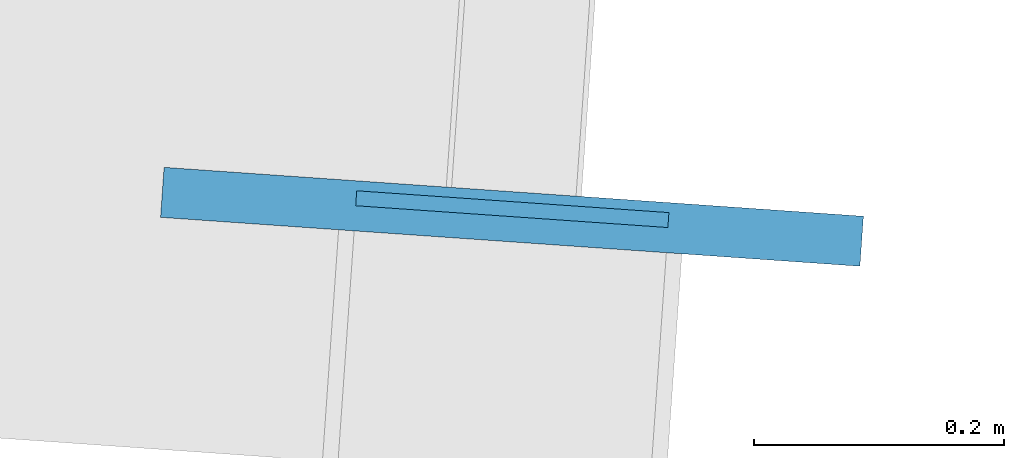
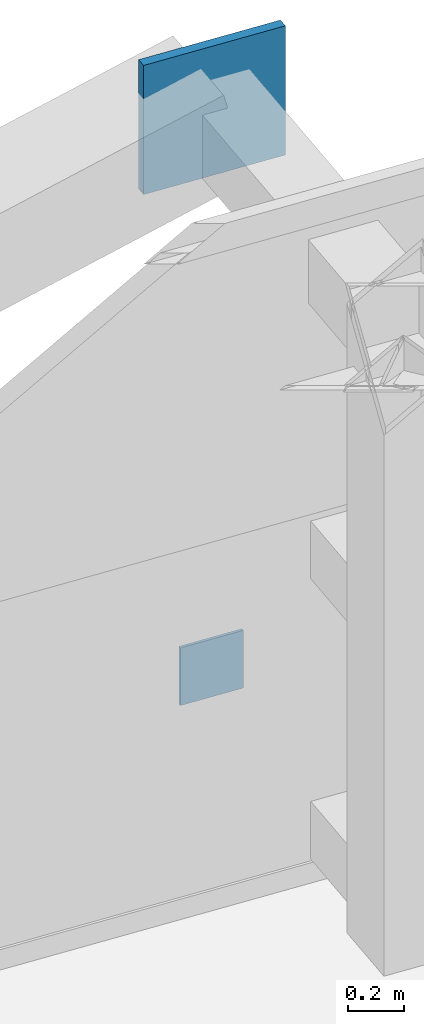
# One storey, part 34 of 39: 2 plates.
"""IFC4 building model written with IfcOpenShell, lengths in metres."""

from ifc_helpers import new_model, si_unit, direction, frame, origin, origin_2d, place, context, subcontext, project, spatial, rectangle, extrude, source, transform, mapped, material, layer, layer_set, type_object, element, save


model = new_model("IFC4")

# Units and contexts
model_context = context("Model", 3, precision=1e-05, world=origin(), true_north=direction((0.0, 1.0)))
body_context = subcontext(model_context, "Body", "Model", "MODEL_VIEW")
ifc_project = project(units=[si_unit("LENGTHUNIT", "METRE"), si_unit("AREAUNIT", "SQUARE_METRE"), si_unit("VOLUMEUNIT", "CUBIC_METRE"), si_unit("PLANEANGLEUNIT", "RADIAN"), si_unit("MASSUNIT", "GRAM", prefix="KILO")], contexts=[model_context])

# Site, building, storey
site_placement = place(None, origin())
site = spatial("IfcSite", under=ifc_project, at=site_placement, CompositionType="ELEMENT")
building_placement = place(site_placement, origin())
building = spatial("IfcBuilding", under=site, at=building_placement, Name="Taldren Reach Tower", CompositionType="ELEMENT")
storey_placement = place(building_placement, frame((0.0, 0.0, 133.0)))
storey = spatial("IfcBuildingStorey", under=building, at=storey_placement, Name="L40", CompositionType="ELEMENT", Elevation=133.0)

# Plates
ifc_material_1 = material(Name="Steel Gr 450 (C450L0)", Category="steel")
ifc_layer_1 = layer(ifc_material_1, 0.0400390625)
ifc_layer_set_1 = layer_set([ifc_layer_1], Name="Steel Gr 450 (C450L0)")
plate_type_1 = type_object("IfcPlateType", Name="PL-GUSSET-40", PredefinedType="SHEET", material=ifc_layer_set_1)
shared_shape_1 = source(origin(), body_context, "Body", "SweptSolid", [
    extrude(rectangle(XDim=0.56005859375, YDim=0.0400390625, at=origin_2d()), origin(), (0.0, 0.0, 1.0), 0.56005859375),
])
plate_1_placement = place(storey_placement, frame((58.544677734375, 36.40771484375, 2.369873046875), z_axis=(0.0, 0.0, 1.0), x_axis=(0.99756405026, -0.069756473744, 0.0)))
element("IfcPlate", 1, at=plate_1_placement, inside=storey, type_object=plate_type_1, Name="Exoskeleton star-node gusset plate B3-N6 L40", PredefinedType="SHEET", context=body_context, shape_type="MappedRepresentation", body=[
    mapped(shared_shape_1, transform((0.0, 0.0, 0.0), scale=1.0)),
])
ifc_material_2 = material(Name="Steel Gr 350 (C350L0)", Category="steel")
ifc_layer_2 = layer(ifc_material_2, 0.011962890625)
ifc_layer_set_2 = layer_set([ifc_layer_2], Name="Steel Gr 350 (C350L0)")
plate_type_2 = type_object("IfcPlateType", Name="PL-CAP-250", PredefinedType="SHEET", material=ifc_layer_set_2)
shared_shape_2 = source(origin(), body_context, "Body", "SweptSolid", [
    extrude(rectangle(XDim=0.25, YDim=0.011962890625, at=origin_2d()), origin(), (0.0, 0.0, 1.0), 0.25),
])
plate_2_placement = place(storey_placement, frame((58.544921875, 36.413818359375, 0.094970703125), z_axis=(0.0, 0.0, 1.0), x_axis=(0.99756405026, -0.069756473744, 0.0)))
element("IfcPlate", 2, at=plate_2_placement, inside=storey, type_object=plate_type_2, Name="Tie strut end cap plate B3-N6 L40", PredefinedType="SHEET", context=body_context, shape_type="MappedRepresentation", body=[
    mapped(shared_shape_2, transform((0.0, 0.0, 0.0), scale=1.0)),
])

save(model, "model.ifc")
